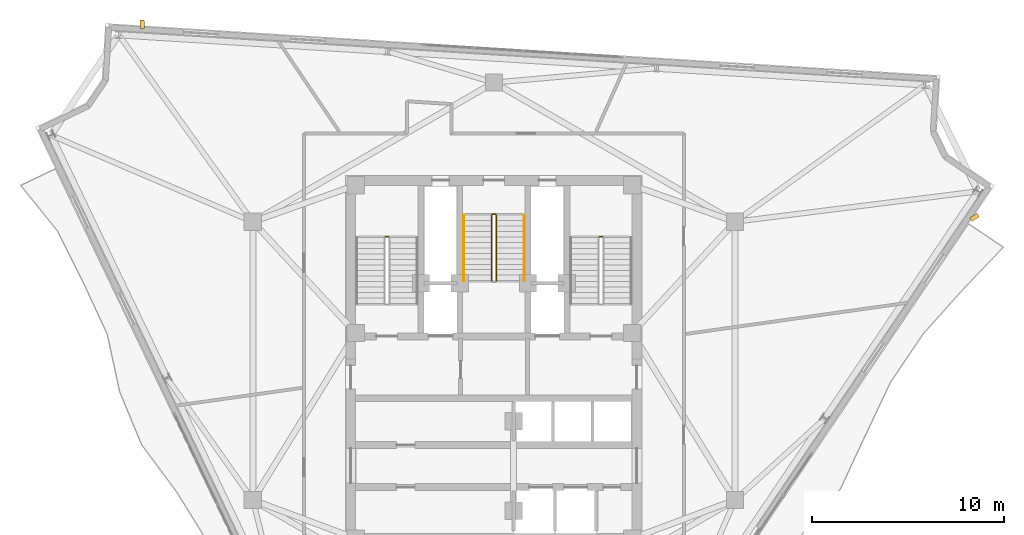
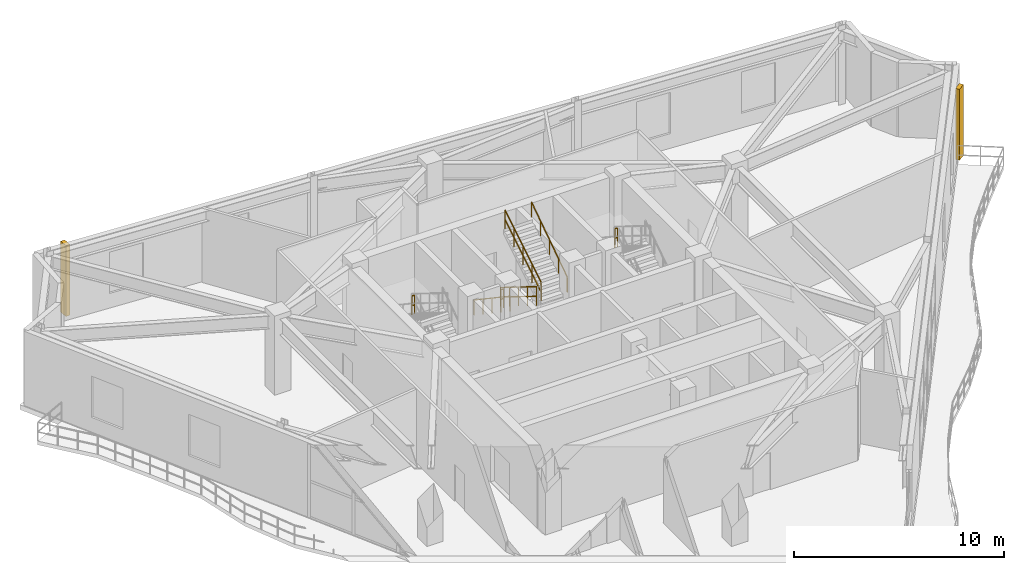
# One storey, part 15 of 15: 7 railings, 2 shading devices.
"""IFC4 building model written with IfcOpenShell, lengths in metres."""

from ifc_helpers import new_model, si_unit, direction, frame, origin, origin_2d, place, context, subcontext, project, spatial, rectangle, extrude, material, type_object, element, save


model = new_model("IFC4")

# Units and contexts
model_context = context("Model", 3, precision=1e-05, world=origin(), true_north=direction((0.0, 1.0)))
body_context = subcontext(model_context, "Body", "Model", "MODEL_VIEW")
ifc_project = project(units=[si_unit("LENGTHUNIT", "METRE"), si_unit("AREAUNIT", "SQUARE_METRE"), si_unit("VOLUMEUNIT", "CUBIC_METRE"), si_unit("PLANEANGLEUNIT", "RADIAN"), si_unit("MASSUNIT", "GRAM", prefix="KILO")], contexts=[model_context])

# Site, building, storey
site_placement = place(None, origin())
site = spatial("IfcSite", under=ifc_project, at=site_placement, CompositionType="ELEMENT")
building_placement = place(site_placement, origin())
building = spatial("IfcBuilding", under=site, at=building_placement, Name="Apsidion Concourse Tower", CompositionType="ELEMENT")
storey_placement = place(building_placement, frame((0.0, 0.0, 318.800048828125)))
storey = spatial("IfcBuildingStorey", under=building, at=storey_placement, Name="L75", CompositionType="ELEMENT", Elevation=318.800048828125)

# Railings
ifc_material_1 = material(Name="Brushed stainless steel 316", Category="steel")
railing_type_1 = type_object("IfcRailingType", Name="RL-GUARD-1100", PredefinedType="GUARDRAIL", material=ifc_material_1)
for number, where, name in (
    (1, (-5.5, 6.469970703125, 2.300048828125), "L75 ST1 stair guard 2"),
    (2, (5.64990234375, 6.469970703125, 2.300048828125), "L75 ST2 stair guard 2"),
):
    element("IfcRailing", number, at=place(storey_placement, frame(where)), inside=storey, type_object=railing_type_1, Name=name, PredefinedType="GUARDRAIL", context=body_context, shape_type="SweptSolid", body=[
        extrude(rectangle(XDim=0.048095703125, YDim=0.048095703125, at=origin_2d()), frame((0.0, 0.0, 1.09619140625), z_axis=(-1.0, 0.0, 0.0), x_axis=(0.0, -1.0, 0.0)), (0.0, 0.0, 1.0), 0.14990234375),
        extrude(rectangle(XDim=0.048095703125, YDim=0.048095703125, at=origin_2d()), frame((0.0, 0.0, 0.5361328125), z_axis=(-1.0, 0.0, 0.0), x_axis=(0.0, -1.0, 0.0)), (0.0, 0.0, 1.0), 0.14990234375),
        extrude(rectangle(XDim=0.0419921875, YDim=0.0419921875, at=origin_2d()), origin(), (0.0, 0.0, 1.0), 1.072021484375),
        extrude(rectangle(XDim=0.0419921875, YDim=0.0419921875, at=origin_2d()), frame((-0.14990234375, 0.0, 0.0)), (0.0, 0.0, 1.0), 1.072021484375),
    ])
railing_1_placement = place(storey_placement, frame((-0.125, 7.60009765625, 0.1767578125)))
element("IfcRailing", 3, at=railing_1_placement, inside=storey, type_object=railing_type_1, Name="L75 ST3 stair guard 1", PredefinedType="GUARDRAIL", context=body_context, shape_type="SweptSolid", body=[
    extrude(rectangle(XDim=0.048095703125, YDim=0.048095703125, at=origin_2d()), frame((0.0, 0.0, 1.09619140625), z_axis=(0.0, -0.849592374559, 0.527439851634), x_axis=(1.0, 0.0, 0.0)), (0.0, 0.0, 1.0), 4.025634765625),
    extrude(rectangle(XDim=0.048095703125, YDim=0.048095703125, at=origin_2d()), frame((0.0, 0.0, 0.5361328125), z_axis=(0.0, -0.849592374559, 0.527439851634), x_axis=(1.0, 0.0, 0.0)), (0.0, 0.0, 1.0), 4.025634765625),
    extrude(rectangle(XDim=0.0419921875, YDim=0.0419921875, at=origin_2d()), origin(), (0.0, 0.0, 1.0), 1.072021484375),
    extrude(rectangle(XDim=0.0419921875, YDim=0.0419921875, at=origin_2d()), frame((0.0, -0.85498046875, 0.53076171875)), (0.0, 0.0, 1.0), 1.072021484375),
    extrude(rectangle(XDim=0.0419921875, YDim=0.0419921875, at=origin_2d()), frame((0.0, -1.7099609375, 1.0615234375)), (0.0, 0.0, 1.0), 1.072021484375),
    extrude(rectangle(XDim=0.0419921875, YDim=0.0419921875, at=origin_2d()), frame((0.0, -2.565185546875, 1.592529296875)), (0.0, 0.0, 1.0), 1.072021484375),
    extrude(rectangle(XDim=0.0419921875, YDim=0.0419921875, at=origin_2d()), frame((0.0, -3.420166015625, 2.123291015625)), (0.0, 0.0, 1.0), 1.072021484375),
])
railing_2_placement = place(storey_placement, frame((0.125, 4.179931640625, 2.476806640625)))
element("IfcRailing", 4, at=railing_2_placement, inside=storey, type_object=railing_type_1, Name="L75 ST3 stair guard 3", PredefinedType="GUARDRAIL", context=body_context, shape_type="SweptSolid", body=[
    extrude(rectangle(XDim=0.048095703125, YDim=0.048095703125, at=origin_2d()), frame((0.0, 0.0, 1.09619140625), z_axis=(0.0, 0.849619550393, 0.527396074682), x_axis=(-1.0, 0.0, 0.0)), (0.0, 0.0, 1.0), 4.025634765625),
    extrude(rectangle(XDim=0.048095703125, YDim=0.048095703125, at=origin_2d()), frame((0.0, 0.0, 0.5361328125), z_axis=(0.0, 0.849619550393, 0.527396074682), x_axis=(-1.0, 0.0, 0.0)), (0.0, 0.0, 1.0), 4.025634765625),
    extrude(rectangle(XDim=0.0419921875, YDim=0.0419921875, at=origin_2d()), origin(), (0.0, 0.0, 1.0), 1.072021484375),
    extrude(rectangle(XDim=0.0419921875, YDim=0.0419921875, at=origin_2d()), frame((0.0, 0.85498046875, 0.53076171875)), (0.0, 0.0, 1.0), 1.072021484375),
    extrude(rectangle(XDim=0.0419921875, YDim=0.0419921875, at=origin_2d()), frame((0.0, 1.7099609375, 1.0615234375)), (0.0, 0.0, 1.0), 1.072021484375),
    extrude(rectangle(XDim=0.0419921875, YDim=0.0419921875, at=origin_2d()), frame((0.0, 2.565185546875, 1.59228515625)), (0.0, 0.0, 1.0), 1.072021484375),
    extrude(rectangle(XDim=0.0419921875, YDim=0.0419921875, at=origin_2d()), frame((0.0, 3.420166015625, 2.123046875)), (0.0, 0.0, 1.0), 1.072021484375),
])
railing_3_placement = place(storey_placement, frame((-0.074951171875, 7.64990234375, 0.0)))
element("IfcRailing", 5, at=railing_3_placement, inside=storey, type_object=railing_type_1, Name="L75 ST3 stair guard 4", PredefinedType="GUARDRAIL", context=body_context, shape_type="SweptSolid", body=[
    extrude(rectangle(XDim=0.048095703125, YDim=0.048095703125, at=origin_2d()), frame((0.0, 0.0, 1.09619140625), z_axis=(1.0, 0.0, 0.0), x_axis=(0.0, 1.0, 0.0)), (0.0, 0.0, 1.0), 0.14990234375),
    extrude(rectangle(XDim=0.048095703125, YDim=0.048095703125, at=origin_2d()), frame((0.0, 0.0, 0.5361328125), z_axis=(1.0, 0.0, 0.0), x_axis=(0.0, 1.0, 0.0)), (0.0, 0.0, 1.0), 0.14990234375),
    extrude(rectangle(XDim=0.0419921875, YDim=0.0419921875, at=origin_2d()), origin(), (0.0, 0.0, 1.0), 1.072021484375),
    extrude(rectangle(XDim=0.0419921875, YDim=0.0419921875, at=origin_2d()), frame((0.14990234375, 0.0, 0.0)), (0.0, 0.0, 1.0), 1.072021484375),
])
railing_type_2 = type_object("IfcRailingType", Name="RL-HAND-900", PredefinedType="HANDRAIL", material=ifc_material_1)
railing_4_placement = place(storey_placement, frame((-1.574951171875, 7.60009765625, 0.1767578125)))
element("IfcRailing", 6, at=railing_4_placement, inside=storey, type_object=railing_type_2, Name="L75 ST3 stair handrail 1", PredefinedType="HANDRAIL", context=body_context, shape_type="SweptSolid", body=[
    extrude(rectangle(XDim=0.048095703125, YDim=0.048095703125, at=origin_2d()), frame((0.0, 0.0, 0.8759765625), z_axis=(0.0, -0.829810883491, 0.558044709356), x_axis=(1.0, 0.0, 0.0)), (0.0, 0.0, 1.0), 4.12158203125),
    extrude(rectangle(XDim=0.0419921875, YDim=0.0419921875, at=origin_2d()), origin(), (0.0, 0.0, 1.0), 0.851806640625),
    extrude(rectangle(XDim=0.0419921875, YDim=0.0419921875, at=origin_2d()), frame((0.0, -0.85498046875, 0.574951171875)), (0.0, 0.0, 1.0), 0.851806640625),
    extrude(rectangle(XDim=0.0419921875, YDim=0.0419921875, at=origin_2d()), frame((0.0, -1.7099609375, 1.14990234375)), (0.0, 0.0, 1.0), 0.851806640625),
    extrude(rectangle(XDim=0.0419921875, YDim=0.0419921875, at=origin_2d()), frame((0.0, -2.565185546875, 1.72509765625)), (0.0, 0.0, 1.0), 0.851806640625),
    extrude(rectangle(XDim=0.0419921875, YDim=0.0419921875, at=origin_2d()), frame((0.0, -3.420166015625, 2.300048828125)), (0.0, 0.0, 1.0), 0.851806640625),
])
railing_5_placement = place(storey_placement, frame((1.574951171875, 4.179931640625, 2.476806640625)))
element("IfcRailing", 7, at=railing_5_placement, inside=storey, type_object=railing_type_2, Name="L75 ST3 stair handrail 2", PredefinedType="HANDRAIL", context=body_context, shape_type="SweptSolid", body=[
    extrude(rectangle(XDim=0.048095703125, YDim=0.048095703125, at=origin_2d()), frame((0.0, 0.0, 0.8759765625), z_axis=(0.0, 0.829810883491, 0.558044709356), x_axis=(-1.0, 0.0, 0.0)), (0.0, 0.0, 1.0), 4.12158203125),
    extrude(rectangle(XDim=0.0419921875, YDim=0.0419921875, at=origin_2d()), origin(), (0.0, 0.0, 1.0), 0.851806640625),
    extrude(rectangle(XDim=0.0419921875, YDim=0.0419921875, at=origin_2d()), frame((0.0, 0.85498046875, 0.574951171875)), (0.0, 0.0, 1.0), 0.851806640625),
    extrude(rectangle(XDim=0.0419921875, YDim=0.0419921875, at=origin_2d()), frame((0.0, 1.7099609375, 1.14990234375)), (0.0, 0.0, 1.0), 0.851806640625),
    extrude(rectangle(XDim=0.0419921875, YDim=0.0419921875, at=origin_2d()), frame((0.0, 2.565185546875, 1.72509765625)), (0.0, 0.0, 1.0), 0.851806640625),
    extrude(rectangle(XDim=0.0419921875, YDim=0.0419921875, at=origin_2d()), frame((0.0, 3.420166015625, 2.300048828125)), (0.0, 0.0, 1.0), 0.851806640625),
])

# Shading devices
ifc_material_2 = material(Name="Anodised aluminium EN AW-6063 T6", Category="aluminium")
shading_device_type = type_object("IfcShadingDeviceType", Name="SH-FIN-STONE", PredefinedType="USERDEFINED", material=ifc_material_2)
for number, where, z_axis, x_axis, name in (
    (8, (-18.31640625, 17.5283203125, 0.099853515625), (0.0, 0.0, 1.0), (0.998059468659, 0.062267945373, 0.0), "L75 Facade Vertical Solar Fin 1"),
    (9, (25.033203125, 7.481201171875, 0.099853515625), (0.0, 0.0, 1.0), (-0.559192903471, 0.829037572555, 0.0), "L75 Facade Vertical Solar Fin 5"),
):
    element("IfcShadingDevice", number, at=place(storey_placement, frame(where, z_axis=z_axis, x_axis=x_axis)), inside=storey, type_object=shading_device_type, Name=name, ObjectType="FIN", PredefinedType="USERDEFINED", context=body_context, shape_type="SweptSolid", body=[
        extrude(rectangle(XDim=0.219970703125, YDim=0.449951171875, at=origin_2d()), origin(), (0.0, 0.0, 1.0), 4.1201171875),
    ])

save(model, "model.ifc")
